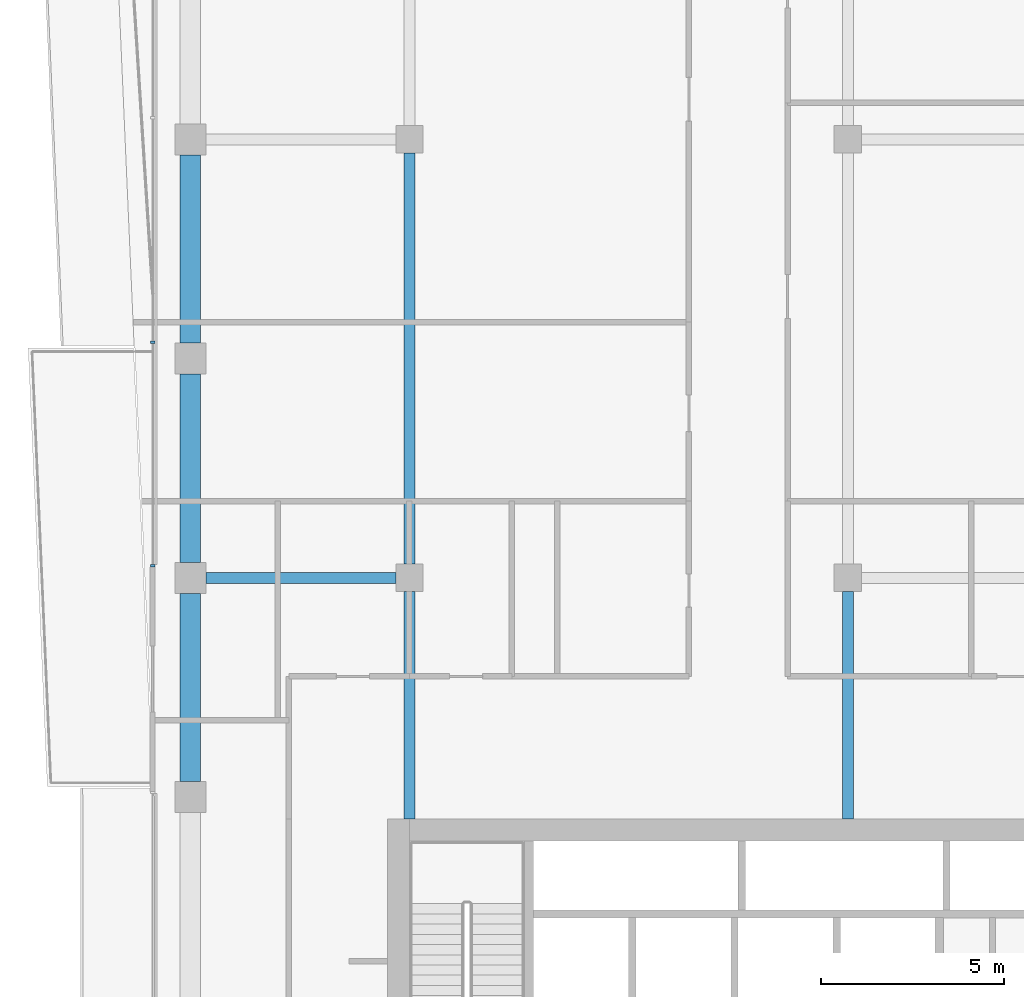
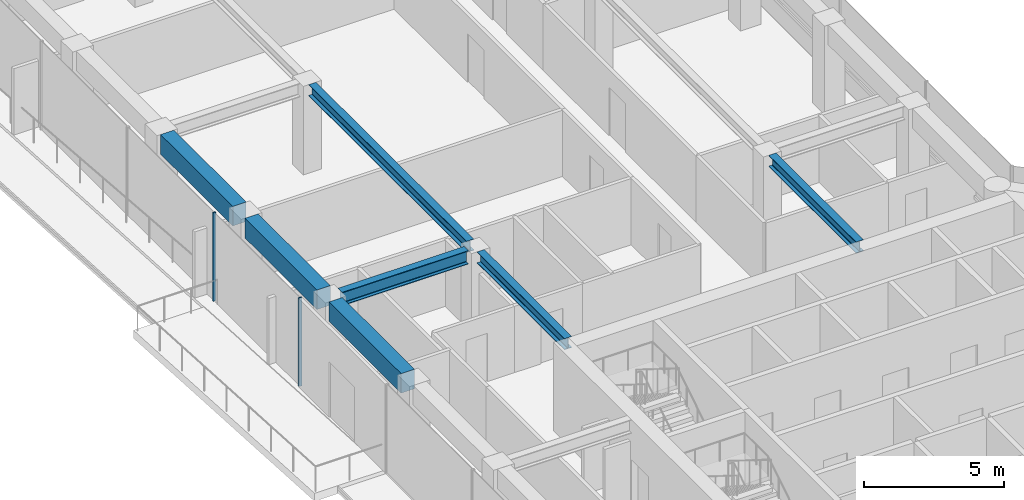
# One storey, part 9 of 21: 7 beams, 2 members, 1 element without a shape of its own.
"""IFC4 building model written with IfcOpenShell, lengths in metres."""

from ifc_helpers import new_model, si_unit, direction, frame, origin, origin_2d, place, context, subcontext, project, spatial, rectangle, i_section, extrude, material, layer, layer_set, material_profile, profile_set, type_object, element, aggregate, save


model = new_model("IFC4")

# Units and contexts
model_context = context("Model", 3, precision=1e-05, world=origin(), true_north=direction((0.0, 1.0)))
body_context = subcontext(model_context, "Body", "Model", "MODEL_VIEW")
ifc_project = project(units=[si_unit("LENGTHUNIT", "METRE"), si_unit("AREAUNIT", "SQUARE_METRE"), si_unit("VOLUMEUNIT", "CUBIC_METRE"), si_unit("PLANEANGLEUNIT", "RADIAN"), si_unit("MASSUNIT", "GRAM", prefix="KILO")], contexts=[model_context])

# Site, building, storey
site_placement = place(None, origin())
site = spatial("IfcSite", under=ifc_project, at=site_placement, CompositionType="ELEMENT")
building_placement = place(site_placement, origin())
building = spatial("IfcBuilding", under=site, at=building_placement, Name="Welwitschia Terrace Campus", CompositionType="ELEMENT")
storey_placement = place(building_placement, frame((0.0, 0.0, 180.199951171875)))
storey = spatial("IfcBuildingStorey", under=building, at=storey_placement, Name="L40", CompositionType="ELEMENT", Elevation=180.199951171875)

# Beams
ifc_material_1 = material(Name="Steel S355", Category="steel")
ifc_material_profile_1 = material_profile(ifc_material_1, i_section(OverallWidth=0.300048828125, OverallDepth=0.489990234375, WebThickness=0.011962890625, FlangeThickness=0.02294921875, FilletRadius=0.027099609375, at=origin_2d()))
ifc_profile_set_1 = profile_set([ifc_material_profile_1], Name="Steel S355")
beam_type_1 = type_object("IfcBeamType", Name="Interior girder HE 500 A", PredefinedType="BEAM", material=ifc_profile_set_1)
beam_1_placement = place(storey_placement, frame((6.0, 25.40087890625, 3.60498046875), z_axis=(0.0, 1.0, 0.0), x_axis=(-1.0, 0.0, 0.0)))
element("IfcBeam", 1, at=beam_1_placement, inside=storey, type_object=beam_type_1, Name="Girder GB4", PredefinedType="BEAM", context=body_context, shape_type="SweptSolid", body=[
    extrude(i_section(OverallWidth=0.300048828125, OverallDepth=0.489990234375, WebThickness=0.011962890625, FlangeThickness=0.02294921875, FilletRadius=0.027099609375, at=origin_2d()), origin(), (0.0, 0.0, 1.0), 6.2236328125),
])
beam_2_placement = place(storey_placement, frame((6.0, 32.37548828125, 3.60498046875), z_axis=(0.0, 1.0, 0.0), x_axis=(-1.0, 0.0, 0.0)))
element("IfcBeam", 2, at=beam_2_placement, inside=storey, type_object=beam_type_1, Name="Girder GB4", PredefinedType="BEAM", context=body_context, shape_type="SweptSolid", body=[
    extrude(i_section(OverallWidth=0.300048828125, OverallDepth=0.489990234375, WebThickness=0.011962890625, FlangeThickness=0.02294921875, FilletRadius=0.027099609375, at=origin_2d()), origin(), (0.0, 0.0, 1.0), 11.2490234375),
])
beam_3_placement = place(storey_placement, frame((18.0, 25.40087890625, 3.60498046875), z_axis=(0.0, 1.0, 0.0), x_axis=(-1.0, 0.0, 0.0)))
element("IfcBeam", 3, at=beam_3_placement, inside=storey, type_object=beam_type_1, Name="Girder GB4", PredefinedType="BEAM", context=body_context, shape_type="SweptSolid", body=[
    extrude(i_section(OverallWidth=0.300048828125, OverallDepth=0.489990234375, WebThickness=0.011962890625, FlangeThickness=0.02294921875, FilletRadius=0.027099609375, at=origin_2d()), origin(), (0.0, 0.0, 1.0), 6.2236328125),
])

# Curtain wall, members
ifc_material_2 = material(Name="Bronze anodised aluminium", Category="aluminium")
ifc_layer = layer(ifc_material_2, 0.1201171875)
ifc_layer_set = layer_set([ifc_layer], Name="Bronze anodised aluminium")
curtain_wall_type = type_object("IfcCurtainWallType", Name="Curtain wall CW2 tower 6000", PredefinedType="NOTDEFINED", material=ifc_layer_set)
curtain_wall_placement = place(storey_placement, origin())
curtain_wall = element("IfcCurtainWall", 4, at=curtain_wall_placement, inside=storey, type_object=curtain_wall_type, Name="CW L40.10.0", PredefinedType="NOTDEFINED")
ifc_material_3 = material(Name="Bronze anodised aluminium", Category="aluminium")
ifc_material_profile_2 = material_profile(ifc_material_3, rectangle(XDim=0.1201171875, YDim=0.06005859375, at=origin_2d()))
ifc_profile_set_2 = profile_set([ifc_material_profile_2], Name="Bronze anodised aluminium")
member_type = type_object("IfcMemberType", Name="Mullion 60x120", PredefinedType="MULLION", material=ifc_profile_set_2)
member_1_placement = place(storey_placement, frame((-1.030029296875, 38.447265625, 0.0), z_axis=(0.0, 0.0, 1.0), x_axis=(1.0, 0.0, 0.0)))
member_1 = element("IfcMember", 5, at=member_1_placement, type_object=member_type, Name="Mullion L40.10.0.4", PredefinedType="MULLION", context=body_context, shape_type="SweptSolid", body=[
    extrude(rectangle(XDim=0.1201171875, YDim=0.06005859375, at=origin_2d()), origin(), (0.0, 0.0, 1.0), 3.85009765625),
])
member_2_placement = place(storey_placement, frame((-1.030029296875, 32.331787109375, 0.0), z_axis=(0.0, 0.0, 1.0), x_axis=(1.0, 0.0, 0.0)))
member_2 = element("IfcMember", 6, at=member_2_placement, type_object=member_type, Name="Mullion L40.10.0.5", PredefinedType="MULLION", context=body_context, shape_type="SweptSolid", body=[
    extrude(rectangle(XDim=0.1201171875, YDim=0.06005859375, at=origin_2d()), origin(), (0.0, 0.0, 1.0), 3.85009765625),
])
aggregate(curtain_wall, [member_1, member_2])

# Beams
ifc_material_4 = material(Name="Steel S355", Category="steel")
ifc_material_profile_3 = material_profile(ifc_material_4, i_section(OverallWidth=0.300048828125, OverallDepth=0.590087890625, WebThickness=0.012939453125, FlangeThickness=0.02490234375, FilletRadius=0.027099609375, at=origin_2d()))
ifc_profile_set_3 = profile_set([ifc_material_profile_3], Name="Steel S355")
beam_type_2 = type_object("IfcBeamType", Name="Primary beam HE 600 A", PredefinedType="BEAM", material=ifc_profile_set_3)
beam_4_placement = place(storey_placement, frame((0.425537109375, 32.0, 3.554931640625), z_axis=(1.0, 0.0, 0.0), x_axis=(0.0, 1.0, 0.0)))
element("IfcBeam", 7, at=beam_4_placement, inside=storey, type_object=beam_type_2, Name="Primary beam PB4", PredefinedType="BEAM", context=body_context, shape_type="SweptSolid", body=[
    extrude(i_section(OverallWidth=0.300048828125, OverallDepth=0.590087890625, WebThickness=0.012939453125, FlangeThickness=0.02490234375, FilletRadius=0.027099609375, at=origin_2d()), origin(), (0.0, 0.0, 1.0), 5.198974609375),
])
ifc_material_5 = material(Name="Concrete C50/60", Category="concrete")
ifc_material_profile_4 = material_profile(ifc_material_5, rectangle(XDim=0.550048828125, YDim=0.85009765625, at=origin_2d()))
ifc_profile_set_4 = profile_set([ifc_material_profile_4], Name="Concrete C50/60")
beam_type_3 = type_object("IfcBeamType", Name="Ring spandrel 550x850", PredefinedType="SPANDREL", material=ifc_profile_set_4)
for number, where, z_axis, x_axis, name in (
    (8, (0.0, 43.574462890625, 3.425048828125), (0.0, -1.0, 0.0), (1.0, 0.0, 0.0), "Spandrel SP3"),
    (9, (0.0, 37.574462890625, 3.425048828125), (0.0, -1.0, 0.0), (1.0, 0.0, 0.0), "Spandrel SP3"),
    (10, (0.0, 31.574462890625, 3.425048828125), (0.0, -1.0, 0.0), (1.0, 0.0, 0.0), "Spandrel SP3"),
):
    element("IfcBeam", number, at=place(storey_placement, frame(where, z_axis=z_axis, x_axis=x_axis)), inside=storey, type_object=beam_type_3, Name=name, PredefinedType="SPANDREL", context=body_context, shape_type="SweptSolid", body=[
        extrude(rectangle(XDim=0.550048828125, YDim=0.85009765625, at=origin_2d()), origin(), (0.0, 0.0, 1.0), 5.14892578125),
    ])

save(model, "model.ifc")
